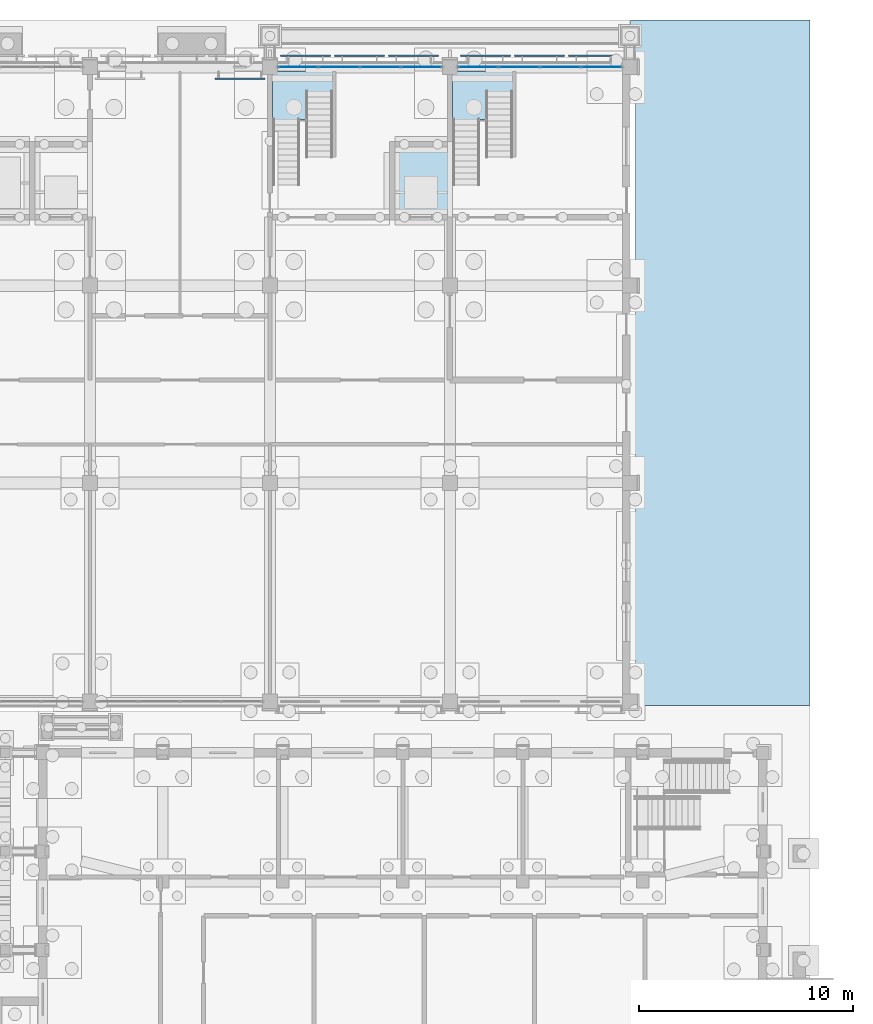
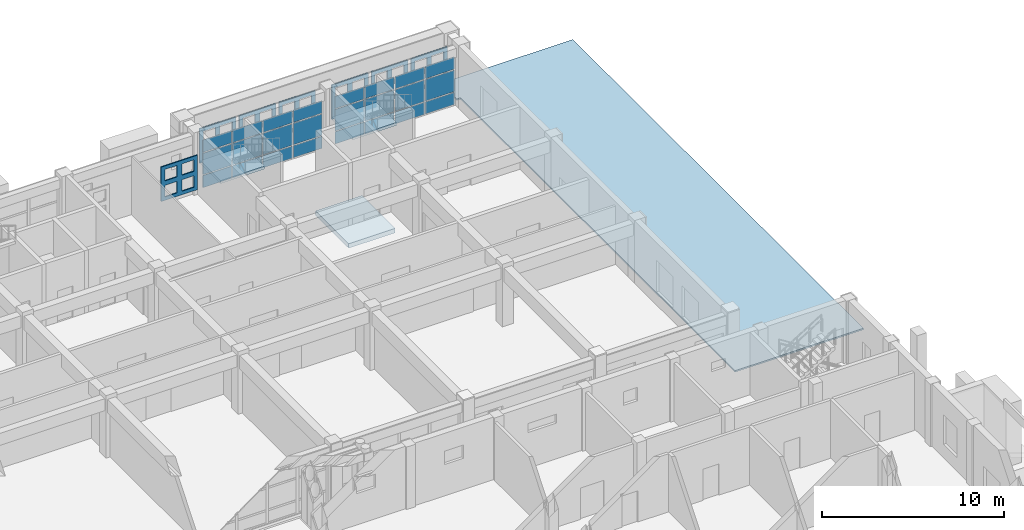
# One storey, part 58 of 112: 31 plates, 4 slabs, 4 elements without a shape of their own.
"""IFC4 building model written with IfcOpenShell, lengths in metres."""

from ifc_helpers import new_model, si_unit, direction, frame, origin, origin_2d, place, context, subcontext, project, spatial, polyline, rectangle, outline, extrude, material, layer, layer_set, material_profile, profile_set, type_object, element, aggregate, save


model = new_model("IFC4")

# Units and contexts
model_context = context("Model", 3, precision=1e-05, world=origin(), true_north=direction((0.0, 1.0)))
body_context = subcontext(model_context, "Body", "Model", "MODEL_VIEW")
ifc_project = project(units=[si_unit("LENGTHUNIT", "METRE"), si_unit("AREAUNIT", "SQUARE_METRE"), si_unit("VOLUMEUNIT", "CUBIC_METRE"), si_unit("PLANEANGLEUNIT", "RADIAN"), si_unit("MASSUNIT", "GRAM", prefix="KILO")], contexts=[model_context])

# Site, building, storey
site_placement = place(None, origin())
site = spatial("IfcSite", under=ifc_project, at=site_placement, CompositionType="ELEMENT")
building_placement = place(site_placement, origin())
building = spatial("IfcBuilding", under=site, at=building_placement, Name="Wasatch Bagh Community Centre", CompositionType="ELEMENT")
storey_placement = place(building_placement, origin())
storey = spatial("IfcBuildingStorey", under=building, at=storey_placement, Name="L00", CompositionType="ELEMENT", Elevation=0.0)

# Curtain wall, plates
ifc_material_1 = material(Name="Aluminium curtain wall frame with low-iron glass", Category="aluminium")
ifc_layer_1 = layer(ifc_material_1, 0.10009765625)
ifc_layer_set_1 = layer_set([ifc_layer_1], Name="Aluminium curtain wall frame with low-iron glass")
curtain_wall_type = type_object("IfcCurtainWallType", Name="LW curtain wall 100", PredefinedType="NOTDEFINED", material=ifc_layer_set_1)
curtain_wall_1_placement = place(storey_placement, origin())
curtain_wall_1 = element("IfcCurtainWall", 1, at=curtain_wall_1_placement, inside=storey, type_object=curtain_wall_type, Name="Curtain wall 00.10", PredefinedType="NOTDEFINED")
ifc_material_2 = material(Name="Low-iron insulated glass", Category="glass")
ifc_layer_2 = layer(ifc_material_2, 0.028076171875)
ifc_layer_set_2 = layer_set([ifc_layer_2], Name="Low-iron insulated glass")
plate_type_1 = type_object("IfcPlateType", Name="LW curtain wall panel 28", PredefinedType="CURTAIN_PANEL", material=ifc_layer_set_2)
plate_1_placement = place(storey_placement, frame((124.12744140625, 97.800048828125, 0.06005859375), z_axis=(0.0, 0.0, 1.0), x_axis=(1.0, 0.0, 0.0)))
plate_1 = element("IfcPlate", 2, at=plate_1_placement, type_object=plate_type_1, Name="LW-CW1 panel 1.1", PredefinedType="CURTAIN_PANEL", context=body_context, shape_type="SweptSolid", body=[
    extrude(rectangle(XDim=1.8349609375, YDim=0.028076171875, at=origin_2d()), origin(), (0.0, 0.0, 1.0), 0.81005859375),
])
plate_2_placement = place(storey_placement, frame((124.12744140625, 97.800048828125, 0.929931640625), z_axis=(0.0, 0.0, 1.0), x_axis=(1.0, 0.0, 0.0)))
plate_2 = element("IfcPlate", 3, at=plate_2_placement, type_object=plate_type_1, Name="LW-CW1 panel 1.2", PredefinedType="CURTAIN_PANEL", context=body_context, shape_type="SweptSolid", body=[
    extrude(rectangle(XDim=1.8349609375, YDim=0.028076171875, at=origin_2d()), origin(), (0.0, 0.0, 1.0), 1.43994140625),
])
plate_3_placement = place(storey_placement, frame((124.12744140625, 97.800048828125, 2.429931640625), z_axis=(0.0, 0.0, 1.0), x_axis=(1.0, 0.0, 0.0)))
plate_3 = element("IfcPlate", 4, at=plate_3_placement, type_object=plate_type_1, Name="LW-CW1 panel 1.3", PredefinedType="CURTAIN_PANEL", context=body_context, shape_type="SweptSolid", body=[
    extrude(rectangle(XDim=1.8349609375, YDim=0.028076171875, at=origin_2d()), origin(), (0.0, 0.0, 1.0), 0.830078125),
])
plate_4_placement = place(storey_placement, frame((126.03759765625, 97.800048828125, 0.06005859375), z_axis=(0.0, 0.0, 1.0), x_axis=(1.0, 0.0, 0.0)))
plate_4 = element("IfcPlate", 5, at=plate_4_placement, type_object=plate_type_1, Name="LW-CW1 panel 2.1", PredefinedType="CURTAIN_PANEL", context=body_context, shape_type="SweptSolid", body=[
    extrude(rectangle(XDim=1.864990234375, YDim=0.028076171875, at=origin_2d()), origin(), (0.0, 0.0, 1.0), 0.81005859375),
])
plate_5_placement = place(storey_placement, frame((126.03759765625, 97.800048828125, 0.929931640625), z_axis=(0.0, 0.0, 1.0), x_axis=(1.0, 0.0, 0.0)))
plate_5 = element("IfcPlate", 6, at=plate_5_placement, type_object=plate_type_1, Name="LW-CW1 panel 2.2", PredefinedType="CURTAIN_PANEL", context=body_context, shape_type="SweptSolid", body=[
    extrude(rectangle(XDim=1.864990234375, YDim=0.028076171875, at=origin_2d()), origin(), (0.0, 0.0, 1.0), 1.43994140625),
])
plate_6_placement = place(storey_placement, frame((126.03759765625, 97.800048828125, 2.429931640625), z_axis=(0.0, 0.0, 1.0), x_axis=(1.0, 0.0, 0.0)))
plate_6 = element("IfcPlate", 7, at=plate_6_placement, type_object=plate_type_1, Name="LW-CW1 panel 2.3", PredefinedType="CURTAIN_PANEL", context=body_context, shape_type="SweptSolid", body=[
    extrude(rectangle(XDim=1.864990234375, YDim=0.028076171875, at=origin_2d()), origin(), (0.0, 0.0, 1.0), 0.830078125),
])
plate_7_placement = place(storey_placement, frame((127.96240234375, 97.800048828125, 0.06005859375), z_axis=(0.0, 0.0, 1.0), x_axis=(1.0, 0.0, 0.0)))
plate_7 = element("IfcPlate", 8, at=plate_7_placement, type_object=plate_type_1, Name="LW-CW1 panel 3.1", PredefinedType="CURTAIN_PANEL", context=body_context, shape_type="SweptSolid", body=[
    extrude(rectangle(XDim=1.864990234375, YDim=0.028076171875, at=origin_2d()), origin(), (0.0, 0.0, 1.0), 0.81005859375),
])
plate_8_placement = place(storey_placement, frame((127.96240234375, 97.800048828125, 0.929931640625), z_axis=(0.0, 0.0, 1.0), x_axis=(1.0, 0.0, 0.0)))
plate_8 = element("IfcPlate", 9, at=plate_8_placement, type_object=plate_type_1, Name="LW-CW1 panel 3.2", PredefinedType="CURTAIN_PANEL", context=body_context, shape_type="SweptSolid", body=[
    extrude(rectangle(XDim=1.864990234375, YDim=0.028076171875, at=origin_2d()), origin(), (0.0, 0.0, 1.0), 1.43994140625),
])
plate_9_placement = place(storey_placement, frame((127.96240234375, 97.800048828125, 2.429931640625), z_axis=(0.0, 0.0, 1.0), x_axis=(1.0, 0.0, 0.0)))
plate_9 = element("IfcPlate", 10, at=plate_9_placement, type_object=plate_type_1, Name="LW-CW1 panel 3.3", PredefinedType="CURTAIN_PANEL", context=body_context, shape_type="SweptSolid", body=[
    extrude(rectangle(XDim=1.864990234375, YDim=0.028076171875, at=origin_2d()), origin(), (0.0, 0.0, 1.0), 0.830078125),
])
plate_10_placement = place(storey_placement, frame((129.87255859375, 97.800048828125, 0.06005859375), z_axis=(0.0, 0.0, 1.0), x_axis=(1.0, 0.0, 0.0)))
plate_10 = element("IfcPlate", 11, at=plate_10_placement, type_object=plate_type_1, Name="LW-CW1 panel 4.1", PredefinedType="CURTAIN_PANEL", context=body_context, shape_type="SweptSolid", body=[
    extrude(rectangle(XDim=1.8349609375, YDim=0.028076171875, at=origin_2d()), origin(), (0.0, 0.0, 1.0), 0.81005859375),
])
plate_11_placement = place(storey_placement, frame((129.87255859375, 97.800048828125, 0.929931640625), z_axis=(0.0, 0.0, 1.0), x_axis=(1.0, 0.0, 0.0)))
plate_11 = element("IfcPlate", 12, at=plate_11_placement, type_object=plate_type_1, Name="LW-CW1 panel 4.2", PredefinedType="CURTAIN_PANEL", context=body_context, shape_type="SweptSolid", body=[
    extrude(rectangle(XDim=1.8349609375, YDim=0.028076171875, at=origin_2d()), origin(), (0.0, 0.0, 1.0), 1.43994140625),
])
plate_12_placement = place(storey_placement, frame((129.87255859375, 97.800048828125, 2.429931640625), z_axis=(0.0, 0.0, 1.0), x_axis=(1.0, 0.0, 0.0)))
plate_12 = element("IfcPlate", 13, at=plate_12_placement, type_object=plate_type_1, Name="LW-CW1 panel 4.3", PredefinedType="CURTAIN_PANEL", context=body_context, shape_type="SweptSolid", body=[
    extrude(rectangle(XDim=1.8349609375, YDim=0.028076171875, at=origin_2d()), origin(), (0.0, 0.0, 1.0), 0.830078125),
])
aggregate(curtain_wall_1, [plate_1, plate_2, plate_3, plate_4, plate_5, plate_6, plate_7, plate_8, plate_9, plate_10, plate_11, plate_12])

curtain_wall_2_placement = place(storey_placement, origin())
curtain_wall_2 = element("IfcCurtainWall", 14, at=curtain_wall_2_placement, inside=storey, type_object=curtain_wall_type, Name="Curtain wall 00.11", PredefinedType="NOTDEFINED")
plate_13_placement = place(storey_placement, frame((132.527587890625, 97.800048828125, 0.06005859375), z_axis=(0.0, 0.0, 1.0), x_axis=(1.0, 0.0, 0.0)))
plate_13 = element("IfcPlate", 15, at=plate_13_placement, type_object=plate_type_1, Name="LW-CW1 panel 1.1", PredefinedType="CURTAIN_PANEL", context=body_context, shape_type="SweptSolid", body=[
    extrude(rectangle(XDim=1.8349609375, YDim=0.028076171875, at=origin_2d()), origin(), (0.0, 0.0, 1.0), 0.81005859375),
])
plate_14_placement = place(storey_placement, frame((132.527587890625, 97.800048828125, 0.929931640625), z_axis=(0.0, 0.0, 1.0), x_axis=(1.0, 0.0, 0.0)))
plate_14 = element("IfcPlate", 16, at=plate_14_placement, type_object=plate_type_1, Name="LW-CW1 panel 1.2", PredefinedType="CURTAIN_PANEL", context=body_context, shape_type="SweptSolid", body=[
    extrude(rectangle(XDim=1.8349609375, YDim=0.028076171875, at=origin_2d()), origin(), (0.0, 0.0, 1.0), 1.43994140625),
])
plate_15_placement = place(storey_placement, frame((132.527587890625, 97.800048828125, 2.429931640625), z_axis=(0.0, 0.0, 1.0), x_axis=(1.0, 0.0, 0.0)))
plate_15 = element("IfcPlate", 17, at=plate_15_placement, type_object=plate_type_1, Name="LW-CW1 panel 1.3", PredefinedType="CURTAIN_PANEL", context=body_context, shape_type="SweptSolid", body=[
    extrude(rectangle(XDim=1.8349609375, YDim=0.028076171875, at=origin_2d()), origin(), (0.0, 0.0, 1.0), 0.830078125),
])
plate_16_placement = place(storey_placement, frame((134.4375, 97.800048828125, 0.06005859375), z_axis=(0.0, 0.0, 1.0), x_axis=(1.0, 0.0, 0.0)))
plate_16 = element("IfcPlate", 18, at=plate_16_placement, type_object=plate_type_1, Name="LW-CW1 panel 2.1", PredefinedType="CURTAIN_PANEL", context=body_context, shape_type="SweptSolid", body=[
    extrude(rectangle(XDim=1.864990234375, YDim=0.028076171875, at=origin_2d()), origin(), (0.0, 0.0, 1.0), 0.81005859375),
])
plate_17_placement = place(storey_placement, frame((134.4375, 97.800048828125, 0.929931640625), z_axis=(0.0, 0.0, 1.0), x_axis=(1.0, 0.0, 0.0)))
plate_17 = element("IfcPlate", 19, at=plate_17_placement, type_object=plate_type_1, Name="LW-CW1 panel 2.2", PredefinedType="CURTAIN_PANEL", context=body_context, shape_type="SweptSolid", body=[
    extrude(rectangle(XDim=1.864990234375, YDim=0.028076171875, at=origin_2d()), origin(), (0.0, 0.0, 1.0), 1.43994140625),
])
plate_18_placement = place(storey_placement, frame((134.4375, 97.800048828125, 2.429931640625), z_axis=(0.0, 0.0, 1.0), x_axis=(1.0, 0.0, 0.0)))
plate_18 = element("IfcPlate", 20, at=plate_18_placement, type_object=plate_type_1, Name="LW-CW1 panel 2.3", PredefinedType="CURTAIN_PANEL", context=body_context, shape_type="SweptSolid", body=[
    extrude(rectangle(XDim=1.864990234375, YDim=0.028076171875, at=origin_2d()), origin(), (0.0, 0.0, 1.0), 0.830078125),
])
plate_19_placement = place(storey_placement, frame((136.362548828125, 97.800048828125, 0.06005859375), z_axis=(0.0, 0.0, 1.0), x_axis=(1.0, 0.0, 0.0)))
plate_19 = element("IfcPlate", 21, at=plate_19_placement, type_object=plate_type_1, Name="LW-CW1 panel 3.1", PredefinedType="CURTAIN_PANEL", context=body_context, shape_type="SweptSolid", body=[
    extrude(rectangle(XDim=1.864990234375, YDim=0.028076171875, at=origin_2d()), origin(), (0.0, 0.0, 1.0), 0.81005859375),
])
plate_20_placement = place(storey_placement, frame((136.362548828125, 97.800048828125, 0.929931640625), z_axis=(0.0, 0.0, 1.0), x_axis=(1.0, 0.0, 0.0)))
plate_20 = element("IfcPlate", 22, at=plate_20_placement, type_object=plate_type_1, Name="LW-CW1 panel 3.2", PredefinedType="CURTAIN_PANEL", context=body_context, shape_type="SweptSolid", body=[
    extrude(rectangle(XDim=1.864990234375, YDim=0.028076171875, at=origin_2d()), origin(), (0.0, 0.0, 1.0), 1.43994140625),
])
plate_21_placement = place(storey_placement, frame((136.362548828125, 97.800048828125, 2.429931640625), z_axis=(0.0, 0.0, 1.0), x_axis=(1.0, 0.0, 0.0)))
plate_21 = element("IfcPlate", 23, at=plate_21_placement, type_object=plate_type_1, Name="LW-CW1 panel 3.3", PredefinedType="CURTAIN_PANEL", context=body_context, shape_type="SweptSolid", body=[
    extrude(rectangle(XDim=1.864990234375, YDim=0.028076171875, at=origin_2d()), origin(), (0.0, 0.0, 1.0), 0.830078125),
])
plate_22_placement = place(storey_placement, frame((138.2724609375, 97.800048828125, 0.06005859375), z_axis=(0.0, 0.0, 1.0), x_axis=(1.0, 0.0, 0.0)))
plate_22 = element("IfcPlate", 24, at=plate_22_placement, type_object=plate_type_1, Name="LW-CW1 panel 4.1", PredefinedType="CURTAIN_PANEL", context=body_context, shape_type="SweptSolid", body=[
    extrude(rectangle(XDim=1.8349609375, YDim=0.028076171875, at=origin_2d()), origin(), (0.0, 0.0, 1.0), 0.81005859375),
])
plate_23_placement = place(storey_placement, frame((138.2724609375, 97.800048828125, 0.929931640625), z_axis=(0.0, 0.0, 1.0), x_axis=(1.0, 0.0, 0.0)))
plate_23 = element("IfcPlate", 25, at=plate_23_placement, type_object=plate_type_1, Name="LW-CW1 panel 4.2", PredefinedType="CURTAIN_PANEL", context=body_context, shape_type="SweptSolid", body=[
    extrude(rectangle(XDim=1.8349609375, YDim=0.028076171875, at=origin_2d()), origin(), (0.0, 0.0, 1.0), 1.43994140625),
])
plate_24_placement = place(storey_placement, frame((138.2724609375, 97.800048828125, 2.429931640625), z_axis=(0.0, 0.0, 1.0), x_axis=(1.0, 0.0, 0.0)))
plate_24 = element("IfcPlate", 26, at=plate_24_placement, type_object=plate_type_1, Name="LW-CW1 panel 4.3", PredefinedType="CURTAIN_PANEL", context=body_context, shape_type="SweptSolid", body=[
    extrude(rectangle(XDim=1.8349609375, YDim=0.028076171875, at=origin_2d()), origin(), (0.0, 0.0, 1.0), 0.830078125),
])
aggregate(curtain_wall_2, [plate_13, plate_14, plate_15, plate_16, plate_17, plate_18, plate_19, plate_20, plate_21, plate_22, plate_23, plate_24])

# Plates
ifc_material_3 = material(Name="Precast concrete C40/50", Category="concrete")
ifc_material_profile = material_profile(ifc_material_3, outline(polyline([(-1.159912109375, -1.159912109375), (1.159912109375, -1.159912109375), (1.159912109375, 1.159912109375), (-1.159912109375, 1.159912109375), (-1.159912109375, -1.159912109375)]), holes=[polyline([(-0.919921875, -0.919921875), (-0.14990234375, -0.919921875), (-0.14990234375, -0.14990234375), (-0.919921875, -0.14990234375), (-0.919921875, -0.919921875)]), polyline([(-0.919921875, 0.14990234375), (-0.14990234375, 0.14990234375), (-0.14990234375, 0.919921875), (-0.919921875, 0.919921875), (-0.919921875, 0.14990234375)]), polyline([(0.14990234375, -0.919921875), (0.919921875, -0.919921875), (0.919921875, -0.14990234375), (0.14990234375, -0.14990234375), (0.14990234375, -0.919921875)]), polyline([(0.14990234375, 0.14990234375), (0.919921875, 0.14990234375), (0.919921875, 0.919921875), (0.14990234375, 0.919921875), (0.14990234375, 0.14990234375)])]), Name="Jali lattice")
ifc_profile_set = profile_set([ifc_material_profile], Name="Precast concrete C40/50")
plate_type_2 = type_object("IfcPlateType", Name="LW jali panel 2320x2320", PredefinedType="SHEET", material=ifc_profile_set)
for number, where, z_axis, x_axis, name in (
    (27, (121.39990234375, 97.300048828125, 1.659912109375), (0.0, -1.0, 0.0), (1.0, 0.0, 0.0), "Jali panel"),
    (28, (124.4599609375, 98.300048828125, 2.510009765625), (0.0, 1.0, 0.0), (-1.0, 0.0, 0.0), "Jali panel"),
    (29, (126.97998046875, 98.300048828125, 2.510009765625), (0.0, 1.0, 0.0), (-1.0, 0.0, 0.0), "Jali panel"),
    (30, (129.5, 98.300048828125, 2.510009765625), (0.0, 1.0, 0.0), (-1.0, 0.0, 0.0), "Jali panel"),
    (31, (132.860107421875, 98.300048828125, 2.510009765625), (0.0, 1.0, 0.0), (-1.0, 0.0, 0.0), "Jali panel"),
    (32, (135.3798828125, 98.300048828125, 2.510009765625), (0.0, 1.0, 0.0), (-1.0, 0.0, 0.0), "Jali panel"),
    (33, (137.89990234375, 98.300048828125, 2.510009765625), (0.0, 1.0, 0.0), (-1.0, 0.0, 0.0), "Jali panel"),
):
    element("IfcPlate", number, at=place(storey_placement, frame(where, z_axis=z_axis, x_axis=x_axis)), inside=storey, type_object=plate_type_2, Name=name, PredefinedType="SHEET", context=body_context, shape_type="SweptSolid", body=[
        extrude(outline(polyline([(-1.159912109375, -1.159912109375), (1.159912109375, -1.159912109375), (1.159912109375, 1.159912109375), (-1.159912109375, 1.159912109375), (-1.159912109375, -1.159912109375)]), holes=[polyline([(-0.919921875, -0.919921875), (-0.14990234375, -0.919921875), (-0.14990234375, -0.14990234375), (-0.919921875, -0.14990234375), (-0.919921875, -0.919921875)]), polyline([(-0.919921875, 0.14990234375), (-0.14990234375, 0.14990234375), (-0.14990234375, 0.919921875), (-0.919921875, 0.919921875), (-0.919921875, 0.14990234375)]), polyline([(0.14990234375, -0.919921875), (0.919921875, -0.919921875), (0.919921875, -0.14990234375), (0.14990234375, -0.14990234375), (0.14990234375, -0.919921875)]), polyline([(0.14990234375, 0.14990234375), (0.919921875, 0.14990234375), (0.919921875, 0.919921875), (0.14990234375, 0.919921875), (0.14990234375, 0.14990234375)])]), origin(), (0.0, 0.0, 1.0), 0.070068359375),
    ])

# Slab
ifc_material_4 = material(Name="Concrete C30", Category="concrete")
ifc_layer_3 = layer(ifc_material_4, 0.300048828125)
ifc_layer_set_3 = layer_set([ifc_layer_3], Name="Concrete C30")
slab_type_1 = type_object("IfcSlabType", Name="LW lift pit slab 300", PredefinedType="BASESLAB", material=ifc_layer_set_3)
slab_1_placement = place(storey_placement, frame((0.0, 0.0, -1.5)))
element("IfcSlab", 34, at=slab_1_placement, inside=storey, type_object=slab_type_1, Name="LW.pit.C3.slab", PredefinedType="BASESLAB", context=body_context, shape_type="SweptSolid", body=[
    extrude(outline(polyline([(128.375, 90.675048828125), (131.324951171875, 90.675048828125), (131.324951171875, 94.324951171875), (128.375, 94.324951171875), (128.375, 90.675048828125)])), origin(), (0.0, 0.0, 1.0), 0.300048828125),
])

# Stair, slab
ifc_material_5 = material(Name="Concrete C35", Category="concrete")
stair_type = type_object("IfcStairType", Name="LW core stair", PredefinedType="HALF_TURN_STAIR", material=ifc_material_5)
stair_1_placement = place(storey_placement, origin())
stair_1 = element("IfcStair", 35, at=stair_1_placement, inside=storey, type_object=stair_type, Name="Stair Stair and Lift C3", PredefinedType="HALF_TURN_STAIR")
ifc_layer_4 = layer(ifc_material_5, 0.199951171875)
ifc_layer_set_4 = layer_set([ifc_layer_4], Name="Concrete C35")
slab_type_2 = type_object("IfcSlabType", Name="LW stair landing 200", PredefinedType="LANDING", material=ifc_layer_set_4)
slab_2_placement = place(storey_placement, frame((0.0, 0.0, 1.89990234375)))
slab_2 = element("IfcSlab", 36, at=slab_2_placement, type_object=slab_type_2, Name="ST-C3-0 landing 1", PredefinedType="LANDING", context=body_context, shape_type="SweptSolid", body=[
    extrude(outline(polyline([(122.925048828125, 95.360107421875), (125.735107421875, 95.360107421875), (125.735107421875, 97.60009765625), (122.925048828125, 97.60009765625), (122.925048828125, 95.360107421875)])), origin(), (0.0, 0.0, 1.0), 0.2001953125),
])
aggregate(stair_1, [slab_2])

stair_2_placement = place(storey_placement, origin())
stair_2 = element("IfcStair", 37, at=stair_2_placement, inside=storey, type_object=stair_type, Name="Stair East Stair", PredefinedType="HALF_TURN_STAIR")
slab_3_placement = place(storey_placement, frame((0.0, 0.0, 1.89990234375)))
slab_3 = element("IfcSlab", 38, at=slab_3_placement, type_object=slab_type_2, Name="ST-ES-0 landing 1", PredefinedType="LANDING", context=body_context, shape_type="SweptSolid", body=[
    extrude(outline(polyline([(131.324951171875, 95.360107421875), (134.135009765625, 95.360107421875), (134.135009765625, 97.60009765625), (131.324951171875, 97.60009765625), (131.324951171875, 95.360107421875)])), origin(), (0.0, 0.0, 1.0), 0.2001953125),
])
aggregate(stair_2, [slab_3])

# Slab
ifc_layer_5 = layer(ifc_material_4, 0.10009765625)
ifc_layer_set_5 = layer_set([ifc_layer_5], Name="Concrete C30")
slab_type_3 = type_object("IfcSlabType", Name="SITE-P4", PredefinedType="FLOOR", material=ifc_layer_set_5)
slab_4_placement = place(storey_placement, frame((0.0, 0.0, -0.10009765625)))
element("IfcSlab", 39, at=slab_4_placement, inside=storey, type_object=slab_type_3, Name="Paving - Wing east end walk", PredefinedType="FLOOR", context=body_context, shape_type="SweptSolid", body=[
    extrude(outline(polyline([(148.0, 100.0), (148.0, 68.0), (139.85009765625, 68.0), (139.85009765625, 98.25), (139.6201171875, 98.25), (139.6201171875, 100.0), (148.0, 100.0)])), origin(), (0.0, 0.0, 1.0), 0.10009765625),
])

save(model, "model.ifc")
